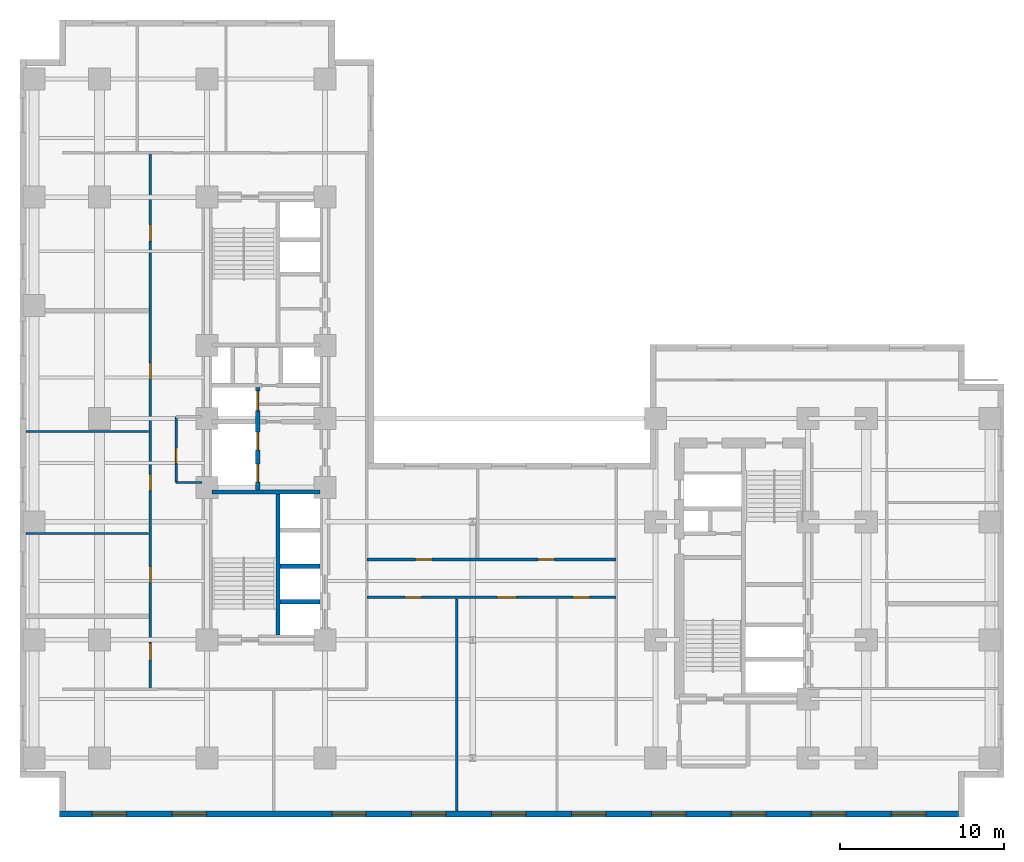
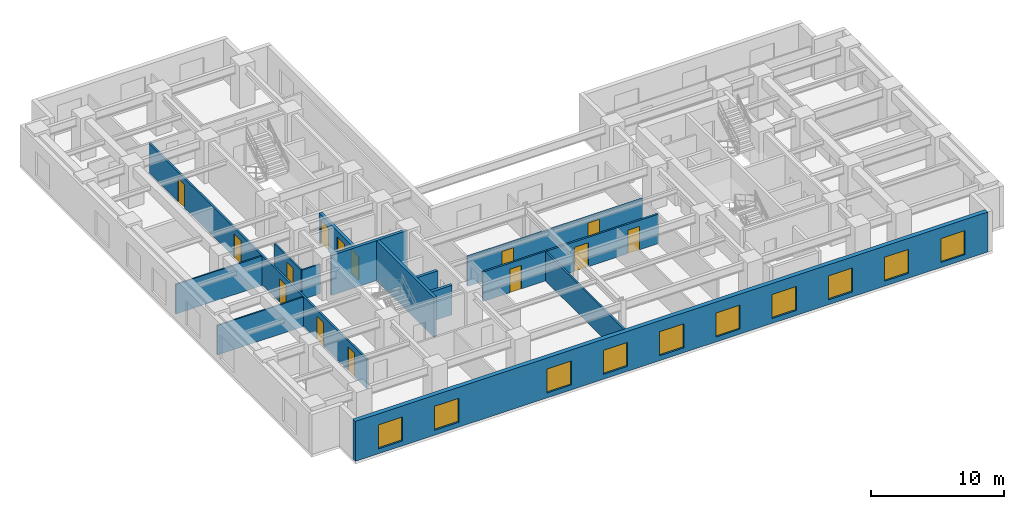
# One storey, part 3 of 9: 14 doors, 14 walls, 10 windows, 24 openings.
"""IFC4 building model written with IfcOpenShell, lengths in metres."""

from ifc_helpers import new_model, entity, si_unit, converted_unit, direction, frame, origin_with_axes, origin_2d_with_axis, place, context, subcontext, project, spatial, polyline, rectangle, outline, extrude, material, layer, layer_set, type_object, element, fill, save


model = new_model("IFC4")

# Units and contexts
model_context = context("Model", 3, precision=1e-05, world=origin_with_axes(), true_north=direction((0.0, 1.0)))
body_context = subcontext(model_context, "Body", "Model", "MODEL_VIEW")
ifc_project = project(units=[si_unit("LENGTHUNIT", "METRE"), si_unit("AREAUNIT", "SQUARE_METRE"), si_unit("VOLUMEUNIT", "CUBIC_METRE"), converted_unit("PLANEANGLEUNIT", "DEGREE", entity("IfcPlaneAngleMeasure", 0.017453292519943295), si_unit("PLANEANGLEUNIT", "RADIAN"), dimensions=[0, 0, 0, 0, 0, 0, 0]), si_unit("MASSUNIT", "GRAM", prefix="KILO"), si_unit("THERMODYNAMICTEMPERATUREUNIT", "KELVIN")], contexts=[model_context])

# Site, building, storey
site_placement = place(None, origin_with_axes())
site = spatial("IfcSite", under=ifc_project, at=site_placement, CompositionType="ELEMENT")
building_placement = place(site_placement, origin_with_axes())
building = spatial("IfcBuilding", under=site, at=building_placement, Name="Varnlund Millrace Tower", CompositionType="ELEMENT")
storey_placement = place(building_placement, frame((0.0, 0.0, 60.0), z_axis=(0.0, 0.0, 1.0), x_axis=(1.0, 0.0, 0.0)))
storey = spatial("IfcBuildingStorey", under=building, at=storey_placement, Name="L14", CompositionType="ELEMENT", Elevation=60.0)

# Wall, openings, windows
ifc_material_1 = material(Name="Precast concrete C50/60", Category="concrete")
ifc_layer_1 = layer(ifc_material_1, 0.38, Name="Precast concrete C50/60")
ifc_layer_set_1 = layer_set([ifc_layer_1], Name="Precast concrete C50/60")
wall_type_1 = type_object("IfcWallType", Name="Type-ExtWall-Precast-Tube-380", PredefinedType="SOLIDWALL", material=ifc_layer_set_1)
wall_1_placement = place(storey_placement, frame((57.22, 0.19, 0.0), z_axis=(0.0, 0.0, 1.0), x_axis=(-1.0, 0.0, 0.0)))
wall_1 = element("IfcWall", 1, at=wall_1_placement, inside=storey, type_object=wall_type_1, Name="Type-ExtWall-Precast-Tube-380", PredefinedType="SOLIDWALL", context=body_context, shape_type="SweptSolid", body=[
    extrude(outline(polyline([(0.0, -0.19), (54.82, -0.19), (54.82, 0.19), (0.0, 0.19), (0.0, -0.19)])), origin_with_axes(), (0.0, 0.0, 1.0), 3.66),
])
opening_1_placement = place(wall_1_placement, frame((3.037, 0.0, 0.45), z_axis=(0.0, 0.0, 1.0), x_axis=(1.0, 0.0, 0.0)))
opening_1 = element("IfcOpeningElement", 2, at=opening_1_placement, cuts=wall_1, Name="Opening L14:WN-06", PredefinedType="OPENING", context=body_context, shape_type="SweptSolid", body=[
    extrude(rectangle(XDim=2.1, YDim=0.4, at=origin_2d_with_axis()), origin_with_axes(), (0.0, 0.0, 1.0), 2.2),
])
opening_2_placement = place(wall_1_placement, frame((7.912, 0.0, 0.45), z_axis=(0.0, 0.0, 1.0), x_axis=(1.0, 0.0, 0.0)))
opening_2 = element("IfcOpeningElement", 3, at=opening_2_placement, cuts=wall_1, Name="Opening L14:WN-07", PredefinedType="OPENING", context=body_context, shape_type="SweptSolid", body=[
    extrude(rectangle(XDim=2.1, YDim=0.4, at=origin_2d_with_axis()), origin_with_axes(), (0.0, 0.0, 1.0), 2.2),
])
opening_3_placement = place(wall_1_placement, frame((12.786, 0.0, 0.45), z_axis=(0.0, 0.0, 1.0), x_axis=(1.0, 0.0, 0.0)))
opening_3 = element("IfcOpeningElement", 4, at=opening_3_placement, cuts=wall_1, Name="Opening L14:WN-08", PredefinedType="OPENING", context=body_context, shape_type="SweptSolid", body=[
    extrude(rectangle(XDim=2.1, YDim=0.4, at=origin_2d_with_axis()), origin_with_axes(), (0.0, 0.0, 1.0), 2.2),
])
opening_4_placement = place(wall_1_placement, frame((17.661, 0.0, 0.45), z_axis=(0.0, 0.0, 1.0), x_axis=(1.0, 0.0, 0.0)))
opening_4 = element("IfcOpeningElement", 5, at=opening_4_placement, cuts=wall_1, Name="Opening L14:WN-09", PredefinedType="OPENING", context=body_context, shape_type="SweptSolid", body=[
    extrude(rectangle(XDim=2.1, YDim=0.4, at=origin_2d_with_axis()), origin_with_axes(), (0.0, 0.0, 1.0), 2.2),
])
opening_5_placement = place(wall_1_placement, frame((22.535, 0.0, 0.45), z_axis=(0.0, 0.0, 1.0), x_axis=(1.0, 0.0, 0.0)))
opening_5 = element("IfcOpeningElement", 6, at=opening_5_placement, cuts=wall_1, Name="Opening L14:WN-10", PredefinedType="OPENING", context=body_context, shape_type="SweptSolid", body=[
    extrude(rectangle(XDim=2.1, YDim=0.4, at=origin_2d_with_axis()), origin_with_axes(), (0.0, 0.0, 1.0), 2.2),
])
opening_6_placement = place(wall_1_placement, frame((27.41, 0.0, 0.45), z_axis=(0.0, 0.0, 1.0), x_axis=(1.0, 0.0, 0.0)))
opening_6 = element("IfcOpeningElement", 7, at=opening_6_placement, cuts=wall_1, Name="Opening L14:WN-11", PredefinedType="OPENING", context=body_context, shape_type="SweptSolid", body=[
    extrude(rectangle(XDim=2.1, YDim=0.4, at=origin_2d_with_axis()), origin_with_axes(), (0.0, 0.0, 1.0), 2.2),
])
opening_7_placement = place(wall_1_placement, frame((32.285, 0.0, 0.45), z_axis=(0.0, 0.0, 1.0), x_axis=(1.0, 0.0, 0.0)))
opening_7 = element("IfcOpeningElement", 8, at=opening_7_placement, cuts=wall_1, Name="Opening L14:WN-12", PredefinedType="OPENING", context=body_context, shape_type="SweptSolid", body=[
    extrude(rectangle(XDim=2.1, YDim=0.4, at=origin_2d_with_axis()), origin_with_axes(), (0.0, 0.0, 1.0), 2.2),
])
opening_8_placement = place(wall_1_placement, frame((37.159, 0.0, 0.45), z_axis=(0.0, 0.0, 1.0), x_axis=(1.0, 0.0, 0.0)))
opening_8 = element("IfcOpeningElement", 9, at=opening_8_placement, cuts=wall_1, Name="Opening L14:WN-13", PredefinedType="OPENING", context=body_context, shape_type="SweptSolid", body=[
    extrude(rectangle(XDim=2.1, YDim=0.4, at=origin_2d_with_axis()), origin_with_axes(), (0.0, 0.0, 1.0), 2.2),
])
opening_9_placement = place(wall_1_placement, frame((46.908, 0.0, 0.45), z_axis=(0.0, 0.0, 1.0), x_axis=(1.0, 0.0, 0.0)))
opening_9 = element("IfcOpeningElement", 10, at=opening_9_placement, cuts=wall_1, Name="Opening L14:WN-14", PredefinedType="OPENING", context=body_context, shape_type="SweptSolid", body=[
    extrude(rectangle(XDim=2.1, YDim=0.4, at=origin_2d_with_axis()), origin_with_axes(), (0.0, 0.0, 1.0), 2.2),
])
opening_10_placement = place(wall_1_placement, frame((51.783, 0.0, 0.45), z_axis=(0.0, 0.0, 1.0), x_axis=(1.0, 0.0, 0.0)))
opening_10 = element("IfcOpeningElement", 11, at=opening_10_placement, cuts=wall_1, Name="Opening L14:WN-15", PredefinedType="OPENING", context=body_context, shape_type="SweptSolid", body=[
    extrude(rectangle(XDim=2.1, YDim=0.4, at=origin_2d_with_axis()), origin_with_axes(), (0.0, 0.0, 1.0), 2.2),
])
ifc_material_2 = material(Name="Argon low-e triple glazing in thermally broken bronze frame", Category="glass")
window_type = type_object("IfcWindowType", Name="Type-Window-Punched-2100X2200", PartitioningType="SINGLE_PANEL", PredefinedType="WINDOW", material=ifc_material_2)
window_1_placement = place(wall_1_placement, frame((3.037, 0.0, 0.45), z_axis=(0.0, 0.0, 1.0), x_axis=(1.0, 0.0, 0.0)))
window_1 = element("IfcWindow", 12, at=window_1_placement, inside=storey, type_object=window_type, Name="Type-Window-Punched-2100X2200", OverallHeight=2.2, OverallWidth=2.1, PredefinedType="WINDOW", context=body_context, shape_type="SweptSolid", body=[
    extrude(rectangle(XDim=2.1, YDim=0.09, at=origin_2d_with_axis()), origin_with_axes(), (0.0, 0.0, 1.0), 2.2),
])
fill(opening_1, window_1)
window_2_placement = place(wall_1_placement, frame((7.912, 0.0, 0.45), z_axis=(0.0, 0.0, 1.0), x_axis=(1.0, 0.0, 0.0)))
window_2 = element("IfcWindow", 13, at=window_2_placement, inside=storey, type_object=window_type, Name="Type-Window-Punched-2100X2200", OverallHeight=2.2, OverallWidth=2.1, PredefinedType="WINDOW", context=body_context, shape_type="SweptSolid", body=[
    extrude(rectangle(XDim=2.1, YDim=0.09, at=origin_2d_with_axis()), origin_with_axes(), (0.0, 0.0, 1.0), 2.2),
])
fill(opening_2, window_2)
window_3_placement = place(wall_1_placement, frame((12.786, 0.0, 0.45), z_axis=(0.0, 0.0, 1.0), x_axis=(1.0, 0.0, 0.0)))
window_3 = element("IfcWindow", 14, at=window_3_placement, inside=storey, type_object=window_type, Name="Type-Window-Punched-2100X2200", OverallHeight=2.2, OverallWidth=2.1, PredefinedType="WINDOW", context=body_context, shape_type="SweptSolid", body=[
    extrude(rectangle(XDim=2.1, YDim=0.09, at=origin_2d_with_axis()), origin_with_axes(), (0.0, 0.0, 1.0), 2.2),
])
fill(opening_3, window_3)
window_4_placement = place(wall_1_placement, frame((17.661, 0.0, 0.45), z_axis=(0.0, 0.0, 1.0), x_axis=(1.0, 0.0, 0.0)))
window_4 = element("IfcWindow", 15, at=window_4_placement, inside=storey, type_object=window_type, Name="Type-Window-Punched-2100X2200", OverallHeight=2.2, OverallWidth=2.1, PredefinedType="WINDOW", context=body_context, shape_type="SweptSolid", body=[
    extrude(rectangle(XDim=2.1, YDim=0.09, at=origin_2d_with_axis()), origin_with_axes(), (0.0, 0.0, 1.0), 2.2),
])
fill(opening_4, window_4)
window_5_placement = place(wall_1_placement, frame((22.535, 0.0, 0.45), z_axis=(0.0, 0.0, 1.0), x_axis=(1.0, 0.0, 0.0)))
window_5 = element("IfcWindow", 16, at=window_5_placement, inside=storey, type_object=window_type, Name="Type-Window-Punched-2100X2200", OverallHeight=2.2, OverallWidth=2.1, PredefinedType="WINDOW", context=body_context, shape_type="SweptSolid", body=[
    extrude(rectangle(XDim=2.1, YDim=0.09, at=origin_2d_with_axis()), origin_with_axes(), (0.0, 0.0, 1.0), 2.2),
])
fill(opening_5, window_5)
window_6_placement = place(wall_1_placement, frame((27.41, 0.0, 0.45), z_axis=(0.0, 0.0, 1.0), x_axis=(1.0, 0.0, 0.0)))
window_6 = element("IfcWindow", 17, at=window_6_placement, inside=storey, type_object=window_type, Name="Type-Window-Punched-2100X2200", OverallHeight=2.2, OverallWidth=2.1, PredefinedType="WINDOW", context=body_context, shape_type="SweptSolid", body=[
    extrude(rectangle(XDim=2.1, YDim=0.09, at=origin_2d_with_axis()), origin_with_axes(), (0.0, 0.0, 1.0), 2.2),
])
fill(opening_6, window_6)
window_7_placement = place(wall_1_placement, frame((32.285, 0.0, 0.45), z_axis=(0.0, 0.0, 1.0), x_axis=(1.0, 0.0, 0.0)))
window_7 = element("IfcWindow", 18, at=window_7_placement, inside=storey, type_object=window_type, Name="Type-Window-Punched-2100X2200", OverallHeight=2.2, OverallWidth=2.1, PredefinedType="WINDOW", context=body_context, shape_type="SweptSolid", body=[
    extrude(rectangle(XDim=2.1, YDim=0.09, at=origin_2d_with_axis()), origin_with_axes(), (0.0, 0.0, 1.0), 2.2),
])
fill(opening_7, window_7)
window_8_placement = place(wall_1_placement, frame((37.159, 0.0, 0.45), z_axis=(0.0, 0.0, 1.0), x_axis=(1.0, 0.0, 0.0)))
window_8 = element("IfcWindow", 19, at=window_8_placement, inside=storey, type_object=window_type, Name="Type-Window-Punched-2100X2200", OverallHeight=2.2, OverallWidth=2.1, PredefinedType="WINDOW", context=body_context, shape_type="SweptSolid", body=[
    extrude(rectangle(XDim=2.1, YDim=0.09, at=origin_2d_with_axis()), origin_with_axes(), (0.0, 0.0, 1.0), 2.2),
])
fill(opening_8, window_8)
window_9_placement = place(wall_1_placement, frame((46.908, 0.0, 0.45), z_axis=(0.0, 0.0, 1.0), x_axis=(1.0, 0.0, 0.0)))
window_9 = element("IfcWindow", 20, at=window_9_placement, inside=storey, type_object=window_type, Name="Type-Window-Punched-2100X2200", OverallHeight=2.2, OverallWidth=2.1, PredefinedType="WINDOW", context=body_context, shape_type="SweptSolid", body=[
    extrude(rectangle(XDim=2.1, YDim=0.09, at=origin_2d_with_axis()), origin_with_axes(), (0.0, 0.0, 1.0), 2.2),
])
fill(opening_9, window_9)
window_10_placement = place(wall_1_placement, frame((51.783, 0.0, 0.45), z_axis=(0.0, 0.0, 1.0), x_axis=(1.0, 0.0, 0.0)))
window_10 = element("IfcWindow", 21, at=window_10_placement, inside=storey, type_object=window_type, Name="Type-Window-Punched-2100X2200", OverallHeight=2.2, OverallWidth=2.1, PredefinedType="WINDOW", context=body_context, shape_type="SweptSolid", body=[
    extrude(rectangle(XDim=2.1, YDim=0.09, at=origin_2d_with_axis()), origin_with_axes(), (0.0, 0.0, 1.0), 2.2),
])
fill(opening_10, window_10)

# Wall, openings, doors
ifc_material_3 = material(Name="Fire-rated gypsum board on cold-formed steel framing", Category="steel")
ifc_layer_2 = layer(ifc_material_3, 0.16, Name="Fire-rated gypsum board on cold-formed steel framing")
ifc_layer_set_2 = layer_set([ifc_layer_2], Name="Fire-rated gypsum board on cold-formed steel framing")
wall_type_2 = type_object("IfcWallType", Name="Type-Partition-Corridor-160", PredefinedType="PARTITIONING", material=ifc_layer_set_2)
wall_2_placement = place(storey_placement, frame((7.95, 7.8, 0.0), z_axis=(0.0, 0.0, 1.0), x_axis=(0.0, 1.0, 0.0)))
wall_2 = element("IfcWall", 22, at=wall_2_placement, inside=storey, type_object=wall_type_2, Name="Type-Partition-Corridor-160", PredefinedType="PARTITIONING", context=body_context, shape_type="SweptSolid", body=[
    extrude(outline(polyline([(0.0, -0.08), (32.7, -0.08), (32.7, 0.08), (0.0, 0.08), (0.0, -0.08)])), origin_with_axes(), (0.0, 0.0, 1.0), 2.7),
])
opening_11_placement = place(wall_2_placement, frame((2.2885, 0.0, 0.0), z_axis=(0.0, 0.0, 1.0), x_axis=(1.0, 0.0, 0.0)))
opening_11 = element("IfcOpeningElement", 23, at=opening_11_placement, cuts=wall_2, Name="Opening L14:DR-W-01", PredefinedType="OPENING", context=body_context, shape_type="SweptSolid", body=[
    extrude(rectangle(XDim=1.0, YDim=0.18, at=origin_2d_with_axis()), origin_with_axes(), (0.0, 0.0, 1.0), 2.15),
])
opening_12_placement = place(wall_2_placement, frame((6.971, 0.0, 0.0), z_axis=(0.0, 0.0, 1.0), x_axis=(1.0, 0.0, 0.0)))
opening_12 = element("IfcOpeningElement", 24, at=opening_12_placement, cuts=wall_2, Name="Opening L14:DR-W-02", PredefinedType="OPENING", context=body_context, shape_type="SweptSolid", body=[
    extrude(rectangle(XDim=1.0, YDim=0.18, at=origin_2d_with_axis()), origin_with_axes(), (0.0, 0.0, 1.0), 2.15),
])
opening_13_placement = place(wall_2_placement, frame((12.598, 0.0, 0.0), z_axis=(0.0, 0.0, 1.0), x_axis=(1.0, 0.0, 0.0)))
opening_13 = element("IfcOpeningElement", 25, at=opening_13_placement, cuts=wall_2, Name="Opening L14:DR-W-03", PredefinedType="OPENING", context=body_context, shape_type="SweptSolid", body=[
    extrude(rectangle(XDim=1.0, YDim=0.18, at=origin_2d_with_axis()), origin_with_axes(), (0.0, 0.0, 1.0), 2.15),
])
opening_14_placement = place(wall_2_placement, frame((19.3855, 0.0, 0.0), z_axis=(0.0, 0.0, 1.0), x_axis=(1.0, 0.0, 0.0)))
opening_14 = element("IfcOpeningElement", 26, at=opening_14_placement, cuts=wall_2, Name="Opening L14:DR-W-04", PredefinedType="OPENING", context=body_context, shape_type="SweptSolid", body=[
    extrude(rectangle(XDim=1.0, YDim=0.18, at=origin_2d_with_axis()), origin_with_axes(), (0.0, 0.0, 1.0), 2.15),
])
opening_15_placement = place(wall_2_placement, frame((27.82, 0.0, 0.0), z_axis=(0.0, 0.0, 1.0), x_axis=(1.0, 0.0, 0.0)))
opening_15 = element("IfcOpeningElement", 27, at=opening_15_placement, cuts=wall_2, Name="Opening L14:DR-W-05", PredefinedType="OPENING", context=body_context, shape_type="SweptSolid", body=[
    extrude(rectangle(XDim=1.0, YDim=0.18, at=origin_2d_with_axis()), origin_with_axes(), (0.0, 0.0, 1.0), 2.15),
])
ifc_material_4 = material(Name="Solid-core white oak and bronze frame door")
door_type_1 = type_object("IfcDoorType", Name="Type-IntDoor-Office-1000X2150", OperationType="NOTDEFINED", PredefinedType="DOOR", material=ifc_material_4)
door_1_placement = place(wall_2_placement, frame((2.2885, 0.0, 0.0), z_axis=(0.0, 0.0, 1.0), x_axis=(1.0, 0.0, 0.0)))
door_1 = element("IfcDoor", 28, at=door_1_placement, inside=storey, type_object=door_type_1, Name="Type-IntDoor-Office-1000X2150", OperationType="SINGLE_SWING_LEFT", OverallHeight=2.15, OverallWidth=1.0, PredefinedType="DOOR", context=body_context, shape_type="SweptSolid", body=[
    extrude(rectangle(XDim=1.0, YDim=0.09, at=origin_2d_with_axis()), origin_with_axes(), (0.0, 0.0, 1.0), 2.15),
])
fill(opening_11, door_1)
door_2_placement = place(wall_2_placement, frame((6.971, 0.0, 0.0), z_axis=(0.0, 0.0, 1.0), x_axis=(1.0, 0.0, 0.0)))
door_2 = element("IfcDoor", 29, at=door_2_placement, inside=storey, type_object=door_type_1, Name="Type-IntDoor-Office-1000X2150", OperationType="SINGLE_SWING_RIGHT", OverallHeight=2.15, OverallWidth=1.0, PredefinedType="DOOR", context=body_context, shape_type="SweptSolid", body=[
    extrude(rectangle(XDim=1.0, YDim=0.09, at=origin_2d_with_axis()), origin_with_axes(), (0.0, 0.0, 1.0), 2.15),
])
fill(opening_12, door_2)
door_3_placement = place(wall_2_placement, frame((12.598, 0.0, 0.0), z_axis=(0.0, 0.0, 1.0), x_axis=(1.0, 0.0, 0.0)))
door_3 = element("IfcDoor", 30, at=door_3_placement, inside=storey, type_object=door_type_1, Name="Type-IntDoor-Office-1000X2150", OperationType="SINGLE_SWING_LEFT", OverallHeight=2.15, OverallWidth=1.0, PredefinedType="DOOR", context=body_context, shape_type="SweptSolid", body=[
    extrude(rectangle(XDim=1.0, YDim=0.09, at=origin_2d_with_axis()), origin_with_axes(), (0.0, 0.0, 1.0), 2.15),
])
fill(opening_13, door_3)
door_4_placement = place(wall_2_placement, frame((19.3855, 0.0, 0.0), z_axis=(0.0, 0.0, 1.0), x_axis=(1.0, 0.0, 0.0)))
door_4 = element("IfcDoor", 31, at=door_4_placement, inside=storey, type_object=door_type_1, Name="Type-IntDoor-Office-1000X2150", OperationType="SINGLE_SWING_RIGHT", OverallHeight=2.15, OverallWidth=1.0, PredefinedType="DOOR", context=body_context, shape_type="SweptSolid", body=[
    extrude(rectangle(XDim=1.0, YDim=0.09, at=origin_2d_with_axis()), origin_with_axes(), (0.0, 0.0, 1.0), 2.15),
])
fill(opening_14, door_4)
door_5_placement = place(wall_2_placement, frame((27.82, 0.0, 0.0), z_axis=(0.0, 0.0, 1.0), x_axis=(1.0, 0.0, 0.0)))
door_5 = element("IfcDoor", 32, at=door_5_placement, inside=storey, type_object=door_type_1, Name="Type-IntDoor-Office-1000X2150", OperationType="SINGLE_SWING_LEFT", OverallHeight=2.15, OverallWidth=1.0, PredefinedType="DOOR", context=body_context, shape_type="SweptSolid", body=[
    extrude(rectangle(XDim=1.0, YDim=0.09, at=origin_2d_with_axis()), origin_with_axes(), (0.0, 0.0, 1.0), 2.15),
])
fill(opening_15, door_5)

wall_3_placement = place(storey_placement, frame((21.15, 13.4, 0.0), z_axis=(0.0, 0.0, 1.0), x_axis=(1.0, 0.0, 0.0)))
wall_3 = element("IfcWall", 33, at=wall_3_placement, inside=storey, type_object=wall_type_2, Name="Type-Partition-Corridor-160", PredefinedType="PARTITIONING", context=body_context, shape_type="SweptSolid", body=[
    extrude(outline(polyline([(0.0, -0.08), (15.2, -0.08), (15.2, 0.08), (0.0, 0.08), (0.0, -0.08)])), origin_with_axes(), (0.0, 0.0, 1.0), 2.7),
])
opening_16_placement = place(wall_3_placement, frame((2.8295, 0.0, 0.0), z_axis=(0.0, 0.0, 1.0), x_axis=(1.0, 0.0, 0.0)))
opening_16 = element("IfcOpeningElement", 34, at=opening_16_placement, cuts=wall_3, Name="Opening L14:DR-KNS-01", PredefinedType="OPENING", context=body_context, shape_type="SweptSolid", body=[
    extrude(rectangle(XDim=1.0, YDim=0.18, at=origin_2d_with_axis()), origin_with_axes(), (0.0, 0.0, 1.0), 2.15),
])
opening_17_placement = place(wall_3_placement, frame((8.5355, 0.0, 0.0), z_axis=(0.0, 0.0, 1.0), x_axis=(1.0, 0.0, 0.0)))
opening_17 = element("IfcOpeningElement", 35, at=opening_17_placement, cuts=wall_3, Name="Opening L14:DR-KNS-02", PredefinedType="OPENING", context=body_context, shape_type="SweptSolid", body=[
    extrude(rectangle(XDim=1.2, YDim=0.18, at=origin_2d_with_axis()), origin_with_axes(), (0.0, 0.0, 1.0), 2.2),
])
opening_18_placement = place(wall_3_placement, frame((13.076, 0.0, 0.0), z_axis=(0.0, 0.0, 1.0), x_axis=(1.0, 0.0, 0.0)))
opening_18 = element("IfcOpeningElement", 36, at=opening_18_placement, cuts=wall_3, Name="Opening L14:DR-KNS-03", PredefinedType="OPENING", context=body_context, shape_type="SweptSolid", body=[
    extrude(rectangle(XDim=1.0, YDim=0.18, at=origin_2d_with_axis()), origin_with_axes(), (0.0, 0.0, 1.0), 2.15),
])
ifc_material_5 = material(Name="Wide executive white oak acoustic door")
door_type_2 = type_object("IfcDoorType", Name="Type-IntDoor-Exec-1200X2200", OperationType="NOTDEFINED", PredefinedType="DOOR", material=ifc_material_5)
door_6_placement = place(wall_3_placement, frame((8.5355, 0.0, 0.0), z_axis=(0.0, 0.0, 1.0), x_axis=(1.0, 0.0, 0.0)))
door_6 = element("IfcDoor", 37, at=door_6_placement, inside=storey, type_object=door_type_2, Name="Type-IntDoor-Exec-1200X2200", OperationType="SINGLE_SWING_RIGHT", OverallHeight=2.2, OverallWidth=1.2, PredefinedType="DOOR", context=body_context, shape_type="SweptSolid", body=[
    extrude(rectangle(XDim=1.2, YDim=0.09, at=origin_2d_with_axis()), origin_with_axes(), (0.0, 0.0, 1.0), 2.2),
])
fill(opening_17, door_6)
door_7_placement = place(wall_3_placement, frame((2.8295, 0.0, 0.0), z_axis=(0.0, 0.0, 1.0), x_axis=(1.0, 0.0, 0.0)))
door_7 = element("IfcDoor", 38, at=door_7_placement, inside=storey, type_object=door_type_1, Name="Type-IntDoor-Office-1000X2150", OperationType="SINGLE_SWING_LEFT", OverallHeight=2.15, OverallWidth=1.0, PredefinedType="DOOR", context=body_context, shape_type="SweptSolid", body=[
    extrude(rectangle(XDim=1.0, YDim=0.09, at=origin_2d_with_axis()), origin_with_axes(), (0.0, 0.0, 1.0), 2.15),
])
fill(opening_16, door_7)
door_8_placement = place(wall_3_placement, frame((13.076, 0.0, 0.0), z_axis=(0.0, 0.0, 1.0), x_axis=(1.0, 0.0, 0.0)))
door_8 = element("IfcDoor", 39, at=door_8_placement, inside=storey, type_object=door_type_1, Name="Type-IntDoor-Office-1000X2150", OperationType="SINGLE_SWING_LEFT", OverallHeight=2.15, OverallWidth=1.0, PredefinedType="DOOR", context=body_context, shape_type="SweptSolid", body=[
    extrude(rectangle(XDim=1.0, YDim=0.09, at=origin_2d_with_axis()), origin_with_axes(), (0.0, 0.0, 1.0), 2.15),
])
fill(opening_18, door_8)

wall_4_placement = place(storey_placement, frame((21.15, 15.7, 0.0), z_axis=(0.0, 0.0, 1.0), x_axis=(1.0, 0.0, 0.0)))
wall_4 = element("IfcWall", 40, at=wall_4_placement, inside=storey, type_object=wall_type_2, Name="Type-Partition-Corridor-160", PredefinedType="PARTITIONING", context=body_context, shape_type="SweptSolid", body=[
    extrude(outline(polyline([(0.0, -0.08), (15.2, -0.08), (15.2, 0.08), (0.0, 0.08), (0.0, -0.08)])), origin_with_axes(), (0.0, 0.0, 1.0), 2.7),
])
opening_19_placement = place(wall_4_placement, frame((3.468, 0.0, 0.0), z_axis=(0.0, 0.0, 1.0), x_axis=(1.0, 0.0, 0.0)))
opening_19 = element("IfcOpeningElement", 41, at=opening_19_placement, cuts=wall_4, Name="Opening L14:DR-KN-01", PredefinedType="OPENING", context=body_context, shape_type="SweptSolid", body=[
    extrude(rectangle(XDim=1.0, YDim=0.18, at=origin_2d_with_axis()), origin_with_axes(), (0.0, 0.0, 1.0), 2.15),
])
opening_20_placement = place(wall_4_placement, frame((10.938, 0.0, 0.0), z_axis=(0.0, 0.0, 1.0), x_axis=(1.0, 0.0, 0.0)))
opening_20 = element("IfcOpeningElement", 42, at=opening_20_placement, cuts=wall_4, Name="Opening L14:DR-KN-02", PredefinedType="OPENING", context=body_context, shape_type="SweptSolid", body=[
    extrude(rectangle(XDim=1.0, YDim=0.18, at=origin_2d_with_axis()), origin_with_axes(), (0.0, 0.0, 1.0), 2.15),
])
door_9_placement = place(wall_4_placement, frame((3.468, 0.0, 0.0), z_axis=(0.0, 0.0, 1.0), x_axis=(1.0, 0.0, 0.0)))
door_9 = element("IfcDoor", 43, at=door_9_placement, inside=storey, type_object=door_type_1, Name="Type-IntDoor-Office-1000X2150", OperationType="SINGLE_SWING_LEFT", OverallHeight=2.15, OverallWidth=1.0, PredefinedType="DOOR", context=body_context, shape_type="SweptSolid", body=[
    extrude(rectangle(XDim=1.0, YDim=0.09, at=origin_2d_with_axis()), origin_with_axes(), (0.0, 0.0, 1.0), 2.15),
])
fill(opening_19, door_9)
door_10_placement = place(wall_4_placement, frame((10.938, 0.0, 0.0), z_axis=(0.0, 0.0, 1.0), x_axis=(1.0, 0.0, 0.0)))
door_10 = element("IfcDoor", 44, at=door_10_placement, inside=storey, type_object=door_type_1, Name="Type-IntDoor-Office-1000X2150", OperationType="SINGLE_SWING_RIGHT", OverallHeight=2.15, OverallWidth=1.0, PredefinedType="DOOR", context=body_context, shape_type="SweptSolid", body=[
    extrude(rectangle(XDim=1.0, YDim=0.09, at=origin_2d_with_axis()), origin_with_axes(), (0.0, 0.0, 1.0), 2.15),
])
fill(opening_20, door_10)

# Walls
ifc_material_6 = material(Name="Acoustic STC-50 gypsum board partition", Category="gypsum")
ifc_layer_3 = layer(ifc_material_6, 0.15, Name="Acoustic STC-50 gypsum board partition")
ifc_layer_set_3 = layer_set([ifc_layer_3], Name="Acoustic STC-50 gypsum board partition")
wall_type_3 = type_object("IfcWallType", Name="Type-Partition-Demising-150", PredefinedType="PARTITIONING", material=ifc_layer_set_3)
wall_5_placement = place(storey_placement, frame((26.629, 0.36, 0.0), z_axis=(0.0, 0.0, 1.0), x_axis=(0.0, 1.0, 0.0)))
element("IfcWall", 45, at=wall_5_placement, inside=storey, type_object=wall_type_3, Name="Type-Partition-Demising-150", PredefinedType="PARTITIONING", context=body_context, shape_type="SweptSolid", body=[
    extrude(outline(polyline([(0.0, -0.075), (12.92, -0.075), (12.92, 0.075), (0.0, 0.075), (0.0, -0.075)])), origin_with_axes(), (0.0, 0.0, 1.0), 2.7),
])
ifc_material_7 = material(Name="Gypsum board tenant partition", Category="gypsum")
ifc_layer_4 = layer(ifc_material_7, 0.125, Name="Gypsum board tenant partition")
ifc_layer_set_4 = layer_set([ifc_layer_4], Name="Gypsum board tenant partition")
wall_type_4 = type_object("IfcWallType", Name="Type-Partition-Tenant-125", PredefinedType="PARTITIONING", material=ifc_layer_set_4)
for number, where, z_axis, x_axis, name in (
    (46, (0.375, 17.295, 0.0), (0.0, 0.0, 1.0), (1.0, 0.0, 0.0), "Type-Partition-Tenant-125"),
    (47, (0.375, 23.501, 0.0), (0.0, 0.0, 1.0), (1.0, 0.0, 0.0), "Type-Partition-Tenant-125"),
):
    element("IfcWall", number, at=place(storey_placement, frame(where, z_axis=z_axis, x_axis=x_axis)), inside=storey, type_object=wall_type_4, Name=name, PredefinedType="PARTITIONING", context=body_context, shape_type="SweptSolid", body=[
        extrude(outline(polyline([(0.0, -0.0625), (7.455, -0.0625), (7.455, 0.0625), (0.0, 0.0625), (0.0, -0.0625)])), origin_with_axes(), (0.0, 0.0, 1.0), 2.7),
    ])

# Wall, opening, door
ifc_material_8 = material(Name="Moisture-resistant gypsum restroom partition", Category="gypsum")
ifc_layer_5 = layer(ifc_material_8, 0.14, Name="Moisture-resistant gypsum restroom partition")
ifc_layer_set_5 = layer_set([ifc_layer_5], Name="Moisture-resistant gypsum restroom partition")
wall_type_5 = type_object("IfcWallType", Name="Type-Partition-Wet-140", PredefinedType="PARTITIONING", material=ifc_layer_set_5)
wall_6_placement = place(storey_placement, frame((9.52, 20.4, 0.0), z_axis=(0.0, 0.0, 1.0), x_axis=(0.0, 1.0, 0.0)))
wall_6 = element("IfcWall", 48, at=wall_6_placement, inside=storey, type_object=wall_type_5, Name="Type-Partition-Wet-140", PredefinedType="PARTITIONING", context=body_context, shape_type="SweptSolid", body=[
    extrude(outline(polyline([(0.0, -0.07), (4.0, -0.07), (4.0, 0.07), (0.0, 0.07), (0.0, -0.07)])), origin_with_axes(), (0.0, 0.0, 1.0), 2.7),
])
opening_21_placement = place(wall_6_placement, frame((1.625, 0.0, 0.0), z_axis=(0.0, 0.0, 1.0), x_axis=(1.0, 0.0, 0.0)))
opening_21 = element("IfcOpeningElement", 49, at=opening_21_placement, cuts=wall_6, Name="Opening L14:DR-CA-WCW", PredefinedType="OPENING", context=body_context, shape_type="SweptSolid", body=[
    extrude(rectangle(XDim=0.95, YDim=0.16, at=origin_2d_with_axis()), origin_with_axes(), (0.0, 0.0, 1.0), 2.15),
])
ifc_material_9 = material(Name="Solid-core acoustic office door")
door_type_3 = type_object("IfcDoorType", Name="Type-IntDoor-Tenant-950X2150", OperationType="NOTDEFINED", PredefinedType="DOOR", material=ifc_material_9)
door_11_placement = place(wall_6_placement, frame((1.625, 0.0, 0.0), z_axis=(0.0, 0.0, 1.0), x_axis=(1.0, 0.0, 0.0)))
door_11 = element("IfcDoor", 50, at=door_11_placement, inside=storey, type_object=door_type_3, Name="Type-IntDoor-Tenant-950X2150", OperationType="SINGLE_SWING_LEFT", OverallHeight=2.15, OverallWidth=0.95, PredefinedType="DOOR", context=body_context, shape_type="SweptSolid", body=[
    extrude(rectangle(XDim=0.95, YDim=0.084, at=origin_2d_with_axis()), origin_with_axes(), (0.0, 0.0, 1.0), 2.15),
])
fill(opening_21, door_11)

# Wall
wall_7_placement = place(storey_placement, frame((9.52, 20.4, 0.0), z_axis=(0.0, 0.0, 1.0), x_axis=(1.0, 0.0, 0.0)))
element("IfcWall", 51, at=wall_7_placement, inside=storey, type_object=wall_type_5, Name="Type-Partition-Wet-140", PredefinedType="PARTITIONING", context=body_context, shape_type="SweptSolid", body=[
    extrude(outline(polyline([(0.0, -0.07), (1.58, -0.07), (1.58, 0.07), (0.0, 0.07), (0.0, -0.07)])), origin_with_axes(), (0.0, 0.0, 1.0), 2.7),
])

# Wall, openings, doors
ifc_material_10 = material(Name="Concrete C60/75", Category="concrete")
ifc_layer_6 = layer(ifc_material_10, 0.25, Name="Concrete C60/75")
ifc_layer_set_6 = layer_set([ifc_layer_6], Name="Concrete C60/75")
wall_type_6 = type_object("IfcWallType", Name="Type-ShaftWall-Fire-250", PredefinedType="SOLIDWALL", material=ifc_layer_set_6)
wall_8_placement = place(storey_placement, frame((14.5, 19.95, 0.0), z_axis=(0.0, 0.0, 1.0), x_axis=(0.0, 1.0, 0.0)))
wall_8 = element("IfcWall", 52, at=wall_8_placement, inside=storey, type_object=wall_type_6, Name="Type-ShaftWall-Fire-250", PredefinedType="SOLIDWALL", context=body_context, shape_type="SweptSolid", body=[
    extrude(outline(polyline([(0.0, -0.125), (6.25, -0.125), (6.25, 0.125), (0.0, 0.125), (0.0, -0.125)])), origin_with_axes(), (0.0, 0.0, 1.0), 2.7),
])
opening_22_placement = place(wall_8_placement, frame((1.025, 0.0, 0.0), z_axis=(0.0, 0.0, 1.0), x_axis=(1.0, 0.0, 0.0)))
opening_22 = element("IfcOpeningElement", 53, at=opening_22_placement, cuts=wall_8, Name="Opening L14:LD-FSAE1", PredefinedType="OPENING", context=body_context, shape_type="SweptSolid", body=[
    extrude(rectangle(XDim=1.1, YDim=0.27, at=origin_2d_with_axis()), origin_with_axes(), (0.0, 0.0, 1.0), 2.15),
])
opening_23_placement = place(wall_8_placement, frame((2.975, 0.0, 0.0), z_axis=(0.0, 0.0, 1.0), x_axis=(1.0, 0.0, 0.0)))
opening_23 = element("IfcOpeningElement", 54, at=opening_23_placement, cuts=wall_8, Name="Opening L14:LD-FSAE2", PredefinedType="OPENING", context=body_context, shape_type="SweptSolid", body=[
    extrude(rectangle(XDim=1.1, YDim=0.27, at=origin_2d_with_axis()), origin_with_axes(), (0.0, 0.0, 1.0), 2.15),
])
opening_24_placement = place(wall_8_placement, frame((5.425, 0.0, 0.0), z_axis=(0.0, 0.0, 1.0), x_axis=(1.0, 0.0, 0.0)))
opening_24 = element("IfcOpeningElement", 55, at=opening_24_placement, cuts=wall_8, Name="Opening L14:LD-SRV1", PredefinedType="OPENING", context=body_context, shape_type="SweptSolid", body=[
    extrude(rectangle(XDim=1.2, YDim=0.27, at=origin_2d_with_axis()), origin_with_axes(), (0.0, 0.0, 1.0), 2.15),
])
ifc_material_11 = material(Name="Stainless and architectural bronze sliding landing door")
door_type_4 = type_object("IfcDoorType", Name="Type-LiftLandingDoor-1100X2150", OperationType="NOTDEFINED", PredefinedType="DOOR", material=ifc_material_11)
door_12_placement = place(wall_8_placement, frame((1.025, 0.0, 0.0), z_axis=(0.0, 0.0, 1.0), x_axis=(1.0, 0.0, 0.0)))
door_12 = element("IfcDoor", 56, at=door_12_placement, inside=storey, type_object=door_type_4, Name="Type-LiftLandingDoor-1100X2150", OperationType="SLIDING_TO_LEFT", OverallHeight=2.15, OverallWidth=1.1, PredefinedType="DOOR", context=body_context, shape_type="SweptSolid", body=[
    extrude(rectangle(XDim=1.1, YDim=0.09, at=origin_2d_with_axis()), origin_with_axes(), (0.0, 0.0, 1.0), 2.15),
])
fill(opening_22, door_12)
door_13_placement = place(wall_8_placement, frame((2.975, 0.0, 0.0), z_axis=(0.0, 0.0, 1.0), x_axis=(1.0, 0.0, 0.0)))
door_13 = element("IfcDoor", 57, at=door_13_placement, inside=storey, type_object=door_type_4, Name="Type-LiftLandingDoor-1100X2150", OperationType="SLIDING_TO_RIGHT", OverallHeight=2.15, OverallWidth=1.1, PredefinedType="DOOR", context=body_context, shape_type="SweptSolid", body=[
    extrude(rectangle(XDim=1.1, YDim=0.09, at=origin_2d_with_axis()), origin_with_axes(), (0.0, 0.0, 1.0), 2.15),
])
fill(opening_23, door_13)
ifc_material_12 = material(Name="Heavy-duty freight sliding landing door")
door_type_5 = type_object("IfcDoorType", Name="Type-LiftLandingDoor-Service-1200X2150", OperationType="NOTDEFINED", PredefinedType="DOOR", material=ifc_material_12)
door_14_placement = place(wall_8_placement, frame((5.425, 0.0, 0.0), z_axis=(0.0, 0.0, 1.0), x_axis=(1.0, 0.0, 0.0)))
door_14 = element("IfcDoor", 58, at=door_14_placement, inside=storey, type_object=door_type_5, Name="Type-LiftLandingDoor-Service-1200X2150", OperationType="DOUBLE_DOOR_SLIDING", OverallHeight=2.15, OverallWidth=1.2, PredefinedType="DOOR", context=body_context, shape_type="SweptSolid", body=[
    extrude(rectangle(XDim=1.2, YDim=0.09, at=origin_2d_with_axis()), origin_with_axes(), (0.0, 0.0, 1.0), 2.15),
])
fill(opening_24, door_14)

# Walls
for number, where, z_axis, x_axis, name in (
    (59, (15.84, 13.13, 0.0), (0.0, 0.0, 1.0), (1.0, 0.0, 0.0), "Type-ShaftWall-Fire-250"),
    (60, (15.84, 15.29, 0.0), (0.0, 0.0, 1.0), (1.0, 0.0, 0.0), "Type-ShaftWall-Fire-250"),
):
    element("IfcWall", number, at=place(storey_placement, frame(where, z_axis=z_axis, x_axis=x_axis)), inside=storey, type_object=wall_type_6, Name=name, PredefinedType="SOLIDWALL", context=body_context, shape_type="SweptSolid", body=[
        extrude(outline(polyline([(0.0, -0.125), (2.46, -0.125), (2.46, 0.125), (0.0, 0.125), (0.0, -0.125)])), origin_with_axes(), (0.0, 0.0, 1.0), 2.7),
    ])
wall_type_7 = type_object("IfcWallType", Name="Type-StairWall-Shear-250", PredefinedType="SHEAR", material=ifc_layer_set_6)
wall_9_placement = place(storey_placement, frame((15.725, 11.1, 0.0), z_axis=(0.0, 0.0, 1.0), x_axis=(0.0, 1.0, 0.0)))
element("IfcWall", 61, at=wall_9_placement, inside=storey, type_object=wall_type_7, Name="Type-StairWall-Shear-250", PredefinedType="SHEAR", context=body_context, shape_type="SweptSolid", body=[
    extrude(outline(polyline([(0.0, -0.125), (8.6, -0.125), (8.6, 0.125), (0.0, 0.125), (0.0, -0.125)])), origin_with_axes(), (0.0, 0.0, 1.0), 3.66),
])
wall_10_placement = place(storey_placement, frame((11.7, 19.825, 0.0), z_axis=(0.0, 0.0, 1.0), x_axis=(1.0, 0.0, 0.0)))
element("IfcWall", 62, at=wall_10_placement, inside=storey, type_object=wall_type_7, Name="Type-StairWall-Shear-250", PredefinedType="SHEAR", context=body_context, shape_type="SweptSolid", body=[
    extrude(outline(polyline([(0.0, -0.125), (6.6, -0.125), (6.6, 0.125), (0.0, 0.125), (0.0, -0.125)])), origin_with_axes(), (0.0, 0.0, 1.0), 3.66),
])

save(model, "model.ifc")
